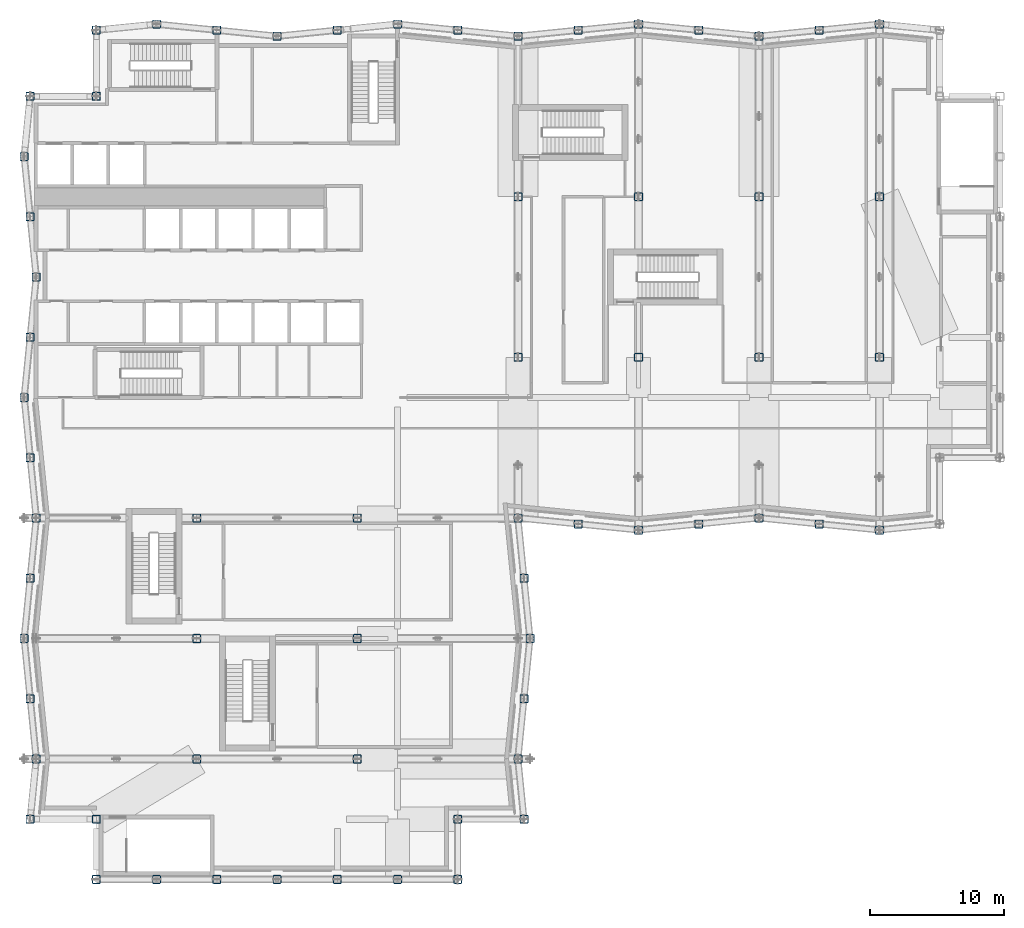
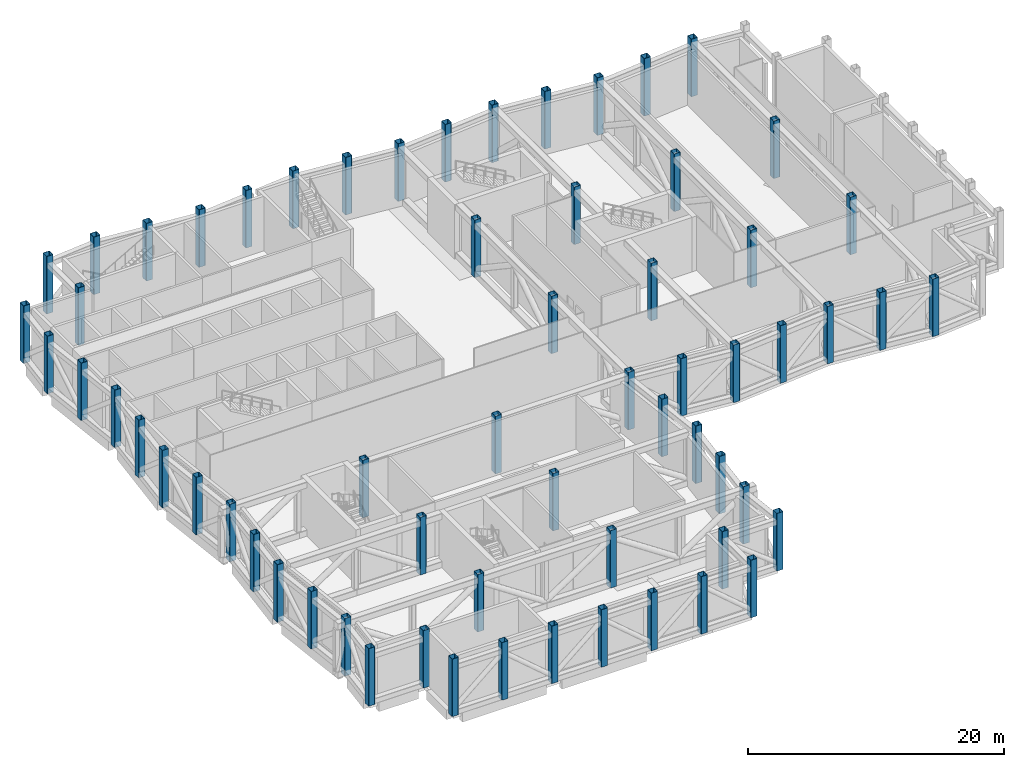
# One storey, part 1 of 22: 63 columns.
"""IFC4 building model written with IfcOpenShell, lengths in metres."""

from ifc_helpers import new_model, si_unit, direction, frame, origin, origin_2d, place, context, subcontext, project, spatial, hollow_rectangle, extrude, material, material_profile, profile_set, type_object, element, save


model = new_model("IFC4")

# Units and contexts
model_context = context("Model", 3, precision=1e-05, world=origin(), true_north=direction((0.0, 1.0)))
body_context = subcontext(model_context, "Body", "Model", "MODEL_VIEW")
ifc_project = project(units=[si_unit("LENGTHUNIT", "METRE"), si_unit("AREAUNIT", "SQUARE_METRE"), si_unit("VOLUMEUNIT", "CUBIC_METRE"), si_unit("PLANEANGLEUNIT", "RADIAN"), si_unit("MASSUNIT", "GRAM", prefix="KILO")], contexts=[model_context])

# Site, building, storey
site_placement = place(None, origin())
site = spatial("IfcSite", under=ifc_project, at=site_placement, CompositionType="ELEMENT")
building_placement = place(site_placement, origin())
building = spatial("IfcBuilding", under=site, at=building_placement, Name="Brondeck Convention Tower", CompositionType="ELEMENT")
storey_placement = place(building_placement, frame((0.0, 0.0, 32.0)))
storey = spatial("IfcBuildingStorey", under=building, at=storey_placement, Name="L05", CompositionType="ELEMENT", Elevation=32.0)

# Columns
ifc_material = material(Name="Steel S460", Category="steel")
ifc_material_profile = material_profile(ifc_material, hollow_rectangle(XDim=0.60009765625, YDim=0.60009765625, WallThickness=0.030029296875, InnerFilletRadius=0.030029296875, OuterFilletRadius=0.06005859375, at=origin_2d()), Name="RHS 600x600x30")
ifc_profile_set = profile_set([ifc_material_profile], Name="Steel S460")
column_type = type_object("IfcColumnType", Name="Transfer post RHS 600x600x30", PredefinedType="COLUMN", material=ifc_profile_set)
for number, where, z_axis, x_axis, name in (
    (1, (12.0, 9.0, 0.0), (0.0, 0.0, 1.0), (1.0, 0.0, 0.0), "Transfer truss post IC-01"),
    (2, (12.0, 18.0, 0.0), (0.0, 0.0, 1.0), (1.0, 0.0, 0.0), "Transfer truss post IC-02"),
    (3, (12.0, 27.0, 0.0), (0.0, 0.0, 1.0), (1.0, 0.0, 0.0), "Transfer truss post IC-03"),
    (4, (24.0, 9.0, 0.0), (0.0, 0.0, 1.0), (1.0, 0.0, 0.0), "Transfer truss post IC-04"),
    (5, (24.0, 18.0, 0.0), (0.0, 0.0, 1.0), (1.0, 0.0, 0.0), "Transfer truss post IC-05"),
    (6, (24.0, 27.0, 0.0), (0.0, 0.0, 1.0), (1.0, 0.0, 0.0), "Transfer truss post IC-06"),
    (7, (36.0, 39.0, 0.0), (0.0, 0.0, 1.0), (1.0, 0.0, 0.0), "Transfer truss post IC-07"),
    (8, (36.0, 51.0, 0.0), (0.0, 0.0, 1.0), (1.0, 0.0, 0.0), "Transfer truss post IC-08"),
    (9, (45.0, 39.0, 0.0), (0.0, 0.0, 1.0), (1.0, 0.0, 0.0), "Transfer truss post IC-09"),
    (10, (45.0, 51.0, 0.0), (0.0, 0.0, 1.0), (1.0, 0.0, 0.0), "Transfer truss post IC-10"),
    (11, (54.0, 39.0, 0.0), (0.0, 0.0, 1.0), (1.0, 0.0, 0.0), "Transfer truss post IC-11"),
    (12, (54.0, 51.0, 0.0), (0.0, 0.0, 1.0), (1.0, 0.0, 0.0), "Transfer truss post IC-12"),
    (13, (63.0, 39.0, 0.0), (0.0, 0.0, 1.0), (1.0, 0.0, 0.0), "Transfer truss post IC-13"),
    (14, (63.0, 51.0, 0.0), (0.0, 0.0, 1.0), (1.0, 0.0, 0.0), "Transfer truss post IC-14"),
    (15, (4.5, 58.5, 0.0), (0.0, 0.0, 1.0), (1.0, 0.0, 0.0), "Transfer truss post NC-NW"),
    (16, (31.5, 4.5, 0.0), (0.0, 0.0, 1.0), (1.0, 0.0, 0.0), "Transfer truss post NC-SEB0"),
    (17, (4.5, 4.5, 0.0), (0.0, 0.0, 1.0), (1.0, 0.0, 0.0), "Transfer truss post NC-SWB0"),
    (18, (4.5, 63.449951171875, 0.0), (0.0, 0.0, 1.0), (1.0, 0.0, 0.0), "Transfer truss post PC-A-N-01"),
    (19, (9.0, 63.89990234375, 0.0), (0.0, 0.0, 1.0), (1.0, 0.0, 0.0), "Transfer truss post PC-A-N-02"),
    (20, (13.5, 63.449951171875, 0.0), (0.0, 0.0, 1.0), (1.0, 0.0, 0.0), "Transfer truss post PC-A-N-03"),
    (21, (18.0, 63.0, 0.0), (0.0, 0.0, 1.0), (1.0, 0.0, 0.0), "Transfer truss post PC-A-N-04"),
    (22, (22.5, 63.449951171875, 0.0), (0.0, 0.0, 1.0), (1.0, 0.0, 0.0), "Transfer truss post PC-A-N-05"),
    (23, (27.0, 63.89990234375, 0.0), (0.0, 0.0, 1.0), (1.0, 0.0, 0.0), "Transfer truss post PC-A-N-06"),
    (24, (31.5, 63.449951171875, 0.0), (0.0, 0.0, 1.0), (1.0, 0.0, 0.0), "Transfer truss post PC-A-N-07"),
    (25, (36.0, 63.0, 0.0), (0.0, 0.0, 1.0), (1.0, 0.0, 0.0), "Transfer truss post PC-A-N-08"),
    (26, (40.5, 63.449951171875, 0.0), (0.0, 0.0, 1.0), (1.0, 0.0, 0.0), "Transfer truss post PC-A-N-09"),
    (27, (45.0, 63.89990234375, 0.0), (0.0, 0.0, 1.0), (1.0, 0.0, 0.0), "Transfer truss post PC-A-N-10"),
    (28, (49.5, 63.449951171875, 0.0), (0.0, 0.0, 1.0), (1.0, 0.0, 0.0), "Transfer truss post PC-A-N-11"),
    (29, (54.0, 63.0, 0.0), (0.0, 0.0, 1.0), (1.0, 0.0, 0.0), "Transfer truss post PC-A-N-12"),
    (30, (58.5, 63.449951171875, 0.0), (0.0, 0.0, 1.0), (1.0, 0.0, 0.0), "Transfer truss post PC-A-N-13"),
    (31, (63.0, 63.89990234375, 0.0), (0.0, 0.0, 1.0), (1.0, 0.0, 0.0), "Transfer truss post PC-A-N-14"),
    (32, (40.5, 26.550048828125, 0.0), (0.0, 0.0, 1.0), (1.0, 0.0, 0.0), "Transfer truss post PC-A-S-01"),
    (33, (45.0, 26.10009765625, 0.0), (0.0, 0.0, 1.0), (1.0, 0.0, 0.0), "Transfer truss post PC-A-S-02"),
    (34, (49.5, 26.550048828125, 0.0), (0.0, 0.0, 1.0), (1.0, 0.0, 0.0), "Transfer truss post PC-A-S-03"),
    (35, (54.0, 27.0, 0.0), (0.0, 0.0, 1.0), (1.0, 0.0, 0.0), "Transfer truss post PC-A-S-04"),
    (36, (58.5, 26.550048828125, 0.0), (0.0, 0.0, 1.0), (1.0, 0.0, 0.0), "Transfer truss post PC-A-S-05"),
    (37, (63.0, 26.10009765625, 0.0), (0.0, 0.0, 1.0), (1.0, 0.0, 0.0), "Transfer truss post PC-A-S-06"),
    (38, (36.0, 27.0, 0.0), (0.0, 0.0, 1.0), (1.0, 0.0, 0.0), "Transfer truss post PC-B-E-00"),
    (39, (36.449951171875, 22.5, 0.0), (0.0, 0.0, 1.0), (1.0, 0.0, 0.0), "Transfer truss post PC-B-E-01"),
    (40, (36.89990234375, 18.0, 0.0), (0.0, 0.0, 1.0), (1.0, 0.0, 0.0), "Transfer truss post PC-B-E-02"),
    (41, (36.449951171875, 13.5, 0.0), (0.0, 0.0, 1.0), (1.0, 0.0, 0.0), "Transfer truss post PC-B-E-03"),
    (42, (36.0, 9.0, 0.0), (0.0, 0.0, 1.0), (1.0, 0.0, 0.0), "Transfer truss post PC-B-E-04"),
    (43, (36.449951171875, 4.5, 0.0), (0.0, 0.0, 1.0), (1.0, 0.0, 0.0), "Transfer truss post PC-B-E-05"),
    (44, (4.5, 0.0, 0.0), (0.0, 0.0, 1.0), (1.0, 0.0, 0.0), "Transfer truss post PC-B-S0-01"),
    (45, (9.0, 0.0, 0.0), (0.0, 0.0, 1.0), (1.0, 0.0, 0.0), "Transfer truss post PC-B-S0-02"),
    (46, (13.5, 0.0, 0.0), (0.0, 0.0, 1.0), (1.0, 0.0, 0.0), "Transfer truss post PC-B-S0-03"),
    (47, (18.0, 0.0, 0.0), (0.0, 0.0, 1.0), (1.0, 0.0, 0.0), "Transfer truss post PC-B-S0-04"),
    (48, (22.5, 0.0, 0.0), (0.0, 0.0, 1.0), (1.0, 0.0, 0.0), "Transfer truss post PC-B-S0-05"),
    (49, (27.0, 0.0, 0.0), (0.0, 0.0, 1.0), (1.0, 0.0, 0.0), "Transfer truss post PC-B-S0-06"),
    (50, (31.5, 0.0, 0.0), (0.0, 0.0, 1.0), (1.0, 0.0, 0.0), "Transfer truss post PC-B-S0-07"),
    (51, (-0.449951171875, 58.5, 0.0), (0.0, 0.0, 1.0), (1.0, 0.0, 0.0), "Transfer truss post PC-B-W-01"),
    (52, (-0.89990234375, 54.0, 0.0), (0.0, 0.0, 1.0), (1.0, 0.0, 0.0), "Transfer truss post PC-B-W-02"),
    (53, (-0.449951171875, 49.5, 0.0), (0.0, 0.0, 1.0), (1.0, 0.0, 0.0), "Transfer truss post PC-B-W-03"),
    (54, (0.0, 45.0, 0.0), (0.0, 0.0, 1.0), (1.0, 0.0, 0.0), "Transfer truss post PC-B-W-04"),
    (55, (-0.449951171875, 40.5, 0.0), (0.0, 0.0, 1.0), (1.0, 0.0, 0.0), "Transfer truss post PC-B-W-05"),
    (56, (-0.89990234375, 36.0, 0.0), (0.0, 0.0, 1.0), (1.0, 0.0, 0.0), "Transfer truss post PC-B-W-06"),
    (57, (-0.449951171875, 31.5, 0.0), (0.0, 0.0, 1.0), (1.0, 0.0, 0.0), "Transfer truss post PC-B-W-07"),
    (58, (0.0, 27.0, 0.0), (0.0, 0.0, 1.0), (1.0, 0.0, 0.0), "Transfer truss post PC-B-W-08"),
    (59, (-0.449951171875, 22.5, 0.0), (0.0, 0.0, 1.0), (1.0, 0.0, 0.0), "Transfer truss post PC-B-W-09"),
    (60, (-0.89990234375, 18.0, 0.0), (0.0, 0.0, 1.0), (1.0, 0.0, 0.0), "Transfer truss post PC-B-W-10"),
    (61, (-0.449951171875, 13.5, 0.0), (0.0, 0.0, 1.0), (1.0, 0.0, 0.0), "Transfer truss post PC-B-W-11"),
    (62, (0.0, 9.0, 0.0), (0.0, 0.0, 1.0), (1.0, 0.0, 0.0), "Transfer truss post PC-B-W-12"),
    (63, (-0.449951171875, 4.5, 0.0), (0.0, 0.0, 1.0), (1.0, 0.0, 0.0), "Transfer truss post PC-B-W-13"),
):
    element("IfcColumn", number, at=place(storey_placement, frame(where, z_axis=z_axis, x_axis=x_axis)), inside=storey, type_object=column_type, Name=name, PredefinedType="COLUMN", context=body_context, shape_type="SweptSolid", body=[
        extrude(hollow_rectangle(XDim=0.60009765625, YDim=0.60009765625, WallThickness=0.030029296875, InnerFilletRadius=0.030029296875, OuterFilletRadius=0.06005859375, at=origin_2d()), origin(), (0.0, 0.0, 1.0), 5.5),
    ])

save(model, "model.ifc")
